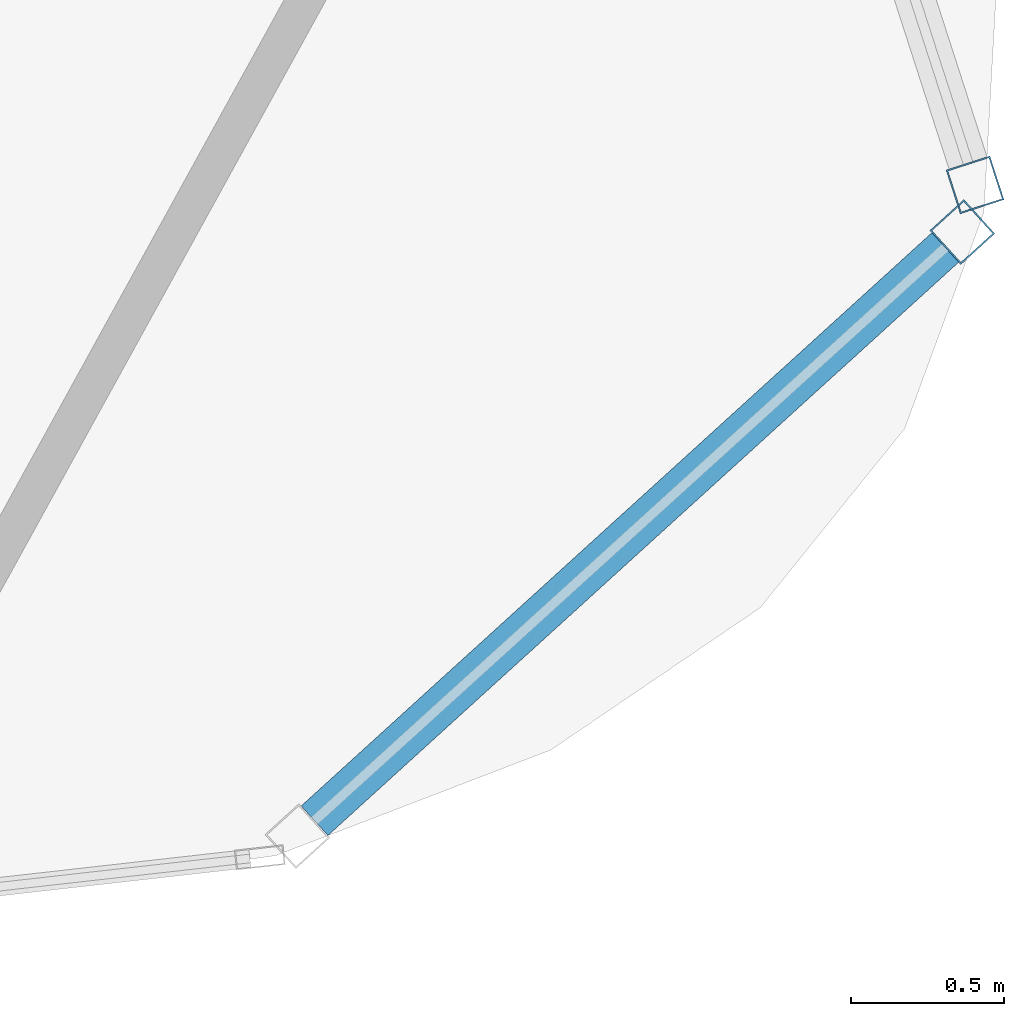
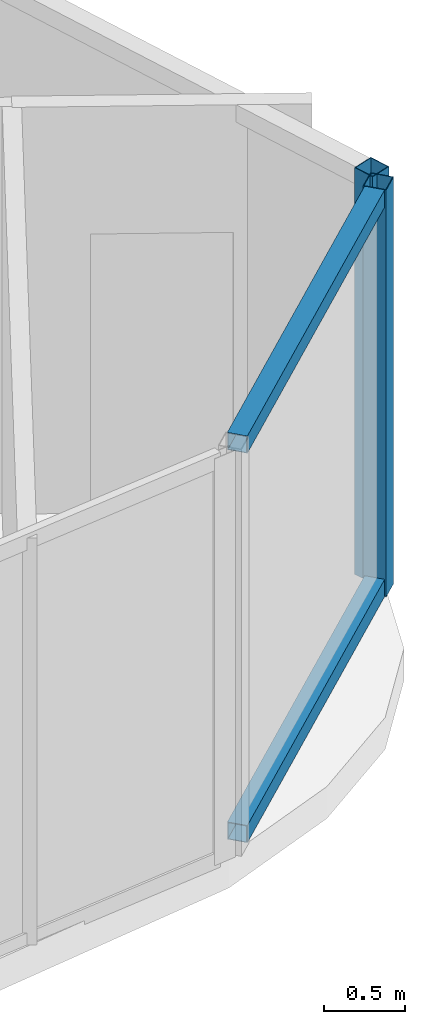
# One storey, part 16 of 33: 4 members, 2 elements without a shape of their own.
"""IFC4 building model written with IfcOpenShell, lengths in metres."""

from ifc_helpers import new_model, si_unit, direction, frame, origin, origin_2d, place, context, subcontext, project, spatial, hollow_rectangle, extrude, material, layer, layer_set, material_profile, profile_set, type_object, element, aggregate, save


model = new_model("IFC4")

# Units and contexts
model_context = context("Model", 3, precision=1e-05, world=origin(), true_north=direction((0.0, 1.0)))
body_context = subcontext(model_context, "Body", "Model", "MODEL_VIEW")
ifc_project = project(units=[si_unit("LENGTHUNIT", "METRE"), si_unit("AREAUNIT", "SQUARE_METRE"), si_unit("VOLUMEUNIT", "CUBIC_METRE"), si_unit("PLANEANGLEUNIT", "RADIAN"), si_unit("MASSUNIT", "GRAM", prefix="KILO")], contexts=[model_context])

# Site, building, storey
site_placement = place(None, origin())
site = spatial("IfcSite", under=ifc_project, at=site_placement, CompositionType="ELEMENT")
building_placement = place(site_placement, origin())
building = spatial("IfcBuilding", under=site, at=building_placement, Name="Orvanel Arch Residences", CompositionType="ELEMENT")
storey_placement = place(building_placement, frame((0.0, 0.0, 209.60009765625)))
storey = spatial("IfcBuildingStorey", under=building, at=storey_placement, Name="L59", CompositionType="ELEMENT", Elevation=209.60009765625)

# Curtain wall, member
ifc_material = material(Name="Bronze-anodised aluminium AA6063-T6", Category="aluminium")
ifc_layer = layer(ifc_material, 0.18994140625)
ifc_layer_set = layer_set([ifc_layer], Name="Bronze-anodised aluminium AA6063-T6")
curtain_wall_type = type_object("IfcCurtainWallType", Name="CW5-CRN-SYS", PredefinedType="NOTDEFINED", material=ifc_layer_set)
curtain_wall_1_placement = place(storey_placement, origin())
curtain_wall_1 = element("IfcCurtainWall", 1, at=curtain_wall_1_placement, inside=storey, type_object=curtain_wall_type, Name="L59 CW5-CRN-SYS Unitised Curtain Wall", PredefinedType="NOTDEFINED")
ifc_material_profile_1 = material_profile(ifc_material, hollow_rectangle(XDim=0.14990234375, YDim=0.14990234375, WallThickness=0.0048828125, at=origin_2d()), Name="ALU150x150x5")
ifc_profile_set_1 = profile_set([ifc_material_profile_1], Name="Bronze-anodised aluminium AA6063-T6")
member_type_1 = type_object("IfcMemberType", Name="MUL-150x150", PredefinedType="MULLION", material=ifc_profile_set_1)
member_1_placement = place(storey_placement, frame((56.305419921875, 8.5205078125, 0.0), z_axis=(0.0, 0.0, 1.0), x_axis=(-0.672511070676, 0.740087062323, 0.0)))
member_1 = element("IfcMember", 2, at=member_1_placement, type_object=member_type_1, Name="CW-S5 mullion 2", PredefinedType="MULLION", context=body_context, shape_type="SweptSolid", body=[
    extrude(hollow_rectangle(XDim=0.14990234375, YDim=0.14990234375, WallThickness=0.0048828125, at=origin_2d()), origin(), (0.0, 0.0, 1.0), 3.059814453125),
])

curtain_wall_2_placement = place(storey_placement, origin())
curtain_wall_2 = element("IfcCurtainWall", 3, at=curtain_wall_2_placement, inside=storey, type_object=curtain_wall_type, Name="L59 CW5-CRN-SYS Unitised Curtain Wall", PredefinedType="NOTDEFINED")
member_2_placement = place(storey_placement, frame((56.346923828125, 8.67431640625, 0.0), z_axis=(0.0, 0.0, 1.0), x_axis=(-0.951553342182, -0.307483718239, 0.0)))
member_2 = element("IfcMember", 4, at=member_2_placement, type_object=member_type_1, Name="CW-S5 mullion 1", PredefinedType="MULLION", context=body_context, shape_type="SweptSolid", body=[
    extrude(hollow_rectangle(XDim=0.14990234375, YDim=0.14990234375, WallThickness=0.0048828125, at=origin_2d()), origin(), (0.0, 0.0, 1.0), 3.059814453125),
])
aggregate(curtain_wall_2, [member_2])

# Member
ifc_material_profile_2 = material_profile(ifc_material, hollow_rectangle(XDim=0.1298828125, YDim=0.1298828125, WallThickness=0.00439453125, at=origin_2d()), Name="ALU130x130x4.5")
ifc_profile_set_2 = profile_set([ifc_material_profile_2], Name="Bronze-anodised aluminium AA6063-T6")
member_type_2 = type_object("IfcMemberType", Name="TRN-130x130", PredefinedType="USERDEFINED", material=ifc_profile_set_2)
member_3_placement = place(storey_placement, frame((54.194091796875, 6.601806640625, 0.06494140625), z_axis=(0.74004743012, 0.672554682663, 0.0), x_axis=(-0.672554682663, 0.74004743012, 0.0)))
member_3 = element("IfcMember", 5, at=member_3_placement, type_object=member_type_2, Name="CW-S5 transom 1.1", ObjectType="TRANSOM", PredefinedType="USERDEFINED", context=body_context, shape_type="SweptSolid", body=[
    extrude(hollow_rectangle(XDim=0.1298828125, YDim=0.1298828125, WallThickness=0.00439453125, at=origin_2d()), origin(), (0.0, 0.0, 1.0), 2.778076171875),
])

member_4_placement = place(storey_placement, frame((54.194091796875, 6.601806640625, 2.994873046875), z_axis=(0.74004743012, 0.672554682663, 0.0), x_axis=(-0.672554682663, 0.74004743012, 0.0)))
member_4 = element("IfcMember", 6, at=member_4_placement, type_object=member_type_2, Name="CW-S5 transom 1.2", ObjectType="TRANSOM", PredefinedType="USERDEFINED", context=body_context, shape_type="SweptSolid", body=[
    extrude(hollow_rectangle(XDim=0.1298828125, YDim=0.1298828125, WallThickness=0.00439453125, at=origin_2d()), origin(), (0.0, 0.0, 1.0), 2.778076171875),
])

aggregate(curtain_wall_1, [member_1, member_3, member_4])

save(model, "model.ifc")
